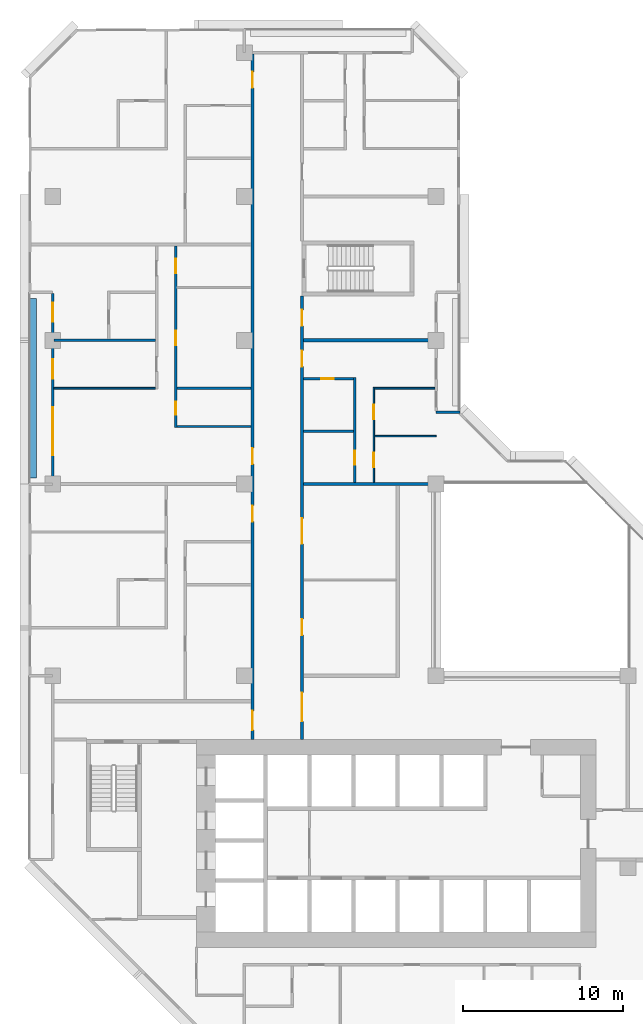
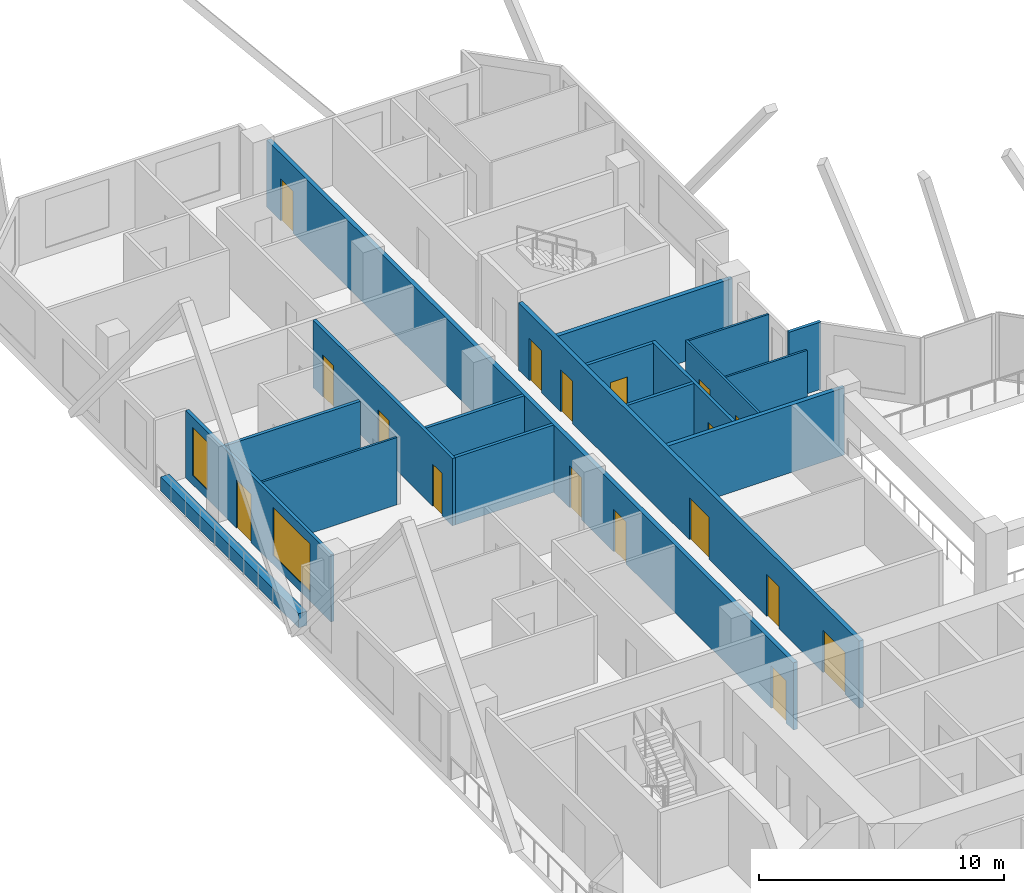
# One storey, part 9 of 15: 18 walls, 17 doors, 2 windows, 19 openings.
"""IFC4 building model written with IfcOpenShell, lengths in metres."""

from ifc_helpers import new_model, si_unit, direction, frame, frame_2d, origin, place, context, subcontext, project, spatial, rectangle, extrude, material, layer, layer_set, type_object, element, fill, save


model = new_model("IFC4")

# Units and contexts
model_context = context("Model", 3, precision=1e-05, world=origin(), true_north=direction((0.0, 1.0)))
body_context = subcontext(model_context, "Body", "Model", "MODEL_VIEW")
ifc_project = project(units=[si_unit("LENGTHUNIT", "METRE"), si_unit("AREAUNIT", "SQUARE_METRE"), si_unit("VOLUMEUNIT", "CUBIC_METRE"), si_unit("PLANEANGLEUNIT", "RADIAN"), si_unit("MASSUNIT", "GRAM", prefix="KILO")], contexts=[model_context])

# Site, building, storey
site_placement = place(None, origin())
site = spatial("IfcSite", under=ifc_project, at=site_placement, CompositionType="ELEMENT")
building_placement = place(site_placement, origin())
building = spatial("IfcBuilding", under=site, at=building_placement, Name="Chenar Terraces", CompositionType="ELEMENT")
storey_placement = place(building_placement, frame((0.0, 0.0, 129.39990234375)))
storey = spatial("IfcBuildingStorey", under=building, at=storey_placement, Name="L30", CompositionType="ELEMENT", Elevation=129.39990234375)

# Wall, openings, doors
ifc_material_1 = material(Name="Gypsum board on steel studs with fire boards", Category="steel")
ifc_layer_1 = layer(ifc_material_1, 0.199951171875)
ifc_layer_set_1 = layer_set([ifc_layer_1], Name="Gypsum board on steel studs with fire boards")
wall_type_1 = type_object("IfcWallType", Name="Corridor wall 200", PredefinedType="PARTITIONING", material=ifc_layer_set_1)
wall_1_placement = place(storey_placement, frame((12.5, 20.0, 0.0), z_axis=(0.0, 0.0, 1.0), x_axis=(0.0, 1.0, 0.0)))
wall_1 = element("IfcWall", 1, at=wall_1_placement, inside=storey, type_object=wall_type_1, Name="Partition L30-035", PredefinedType="PARTITIONING", context=body_context, shape_type="SweptSolid", body=[
    extrude(rectangle(XDim=42.926025390625, YDim=0.199951171875, at=frame_2d((21.462890625, 0.0))), origin(), (0.0, 0.0, 1.0), 3.35009765625),
])
opening_1_placement = place(wall_1_placement, frame((17.25, 0.0, 0.0)))
opening_1 = element("IfcOpeningElement", 2, at=opening_1_placement, cuts=wall_1, Name="Opening DL30-43", PredefinedType="OPENING", context=body_context, shape_type="SweptSolid", body=[
    extrude(rectangle(XDim=1.0, YDim=2.10009765625, at=frame_2d((0.5, 1.050048828125))), frame((0.0, 0.10986328125, 0.0), z_axis=(0.0, -1.0, 0.0), x_axis=(1.0, 0.0, 0.0)), (0.0, 0.0, 1.0), 0.219970703125),
])
opening_2_placement = place(wall_1_placement, frame((40.800048828125, 0.0, 0.0)))
opening_2 = element("IfcOpeningElement", 3, at=opening_2_placement, cuts=wall_1, Name="Opening DL30-49", PredefinedType="OPENING", context=body_context, shape_type="SweptSolid", body=[
    extrude(rectangle(XDim=1.0, YDim=2.10009765625, at=frame_2d((0.5, 1.050048828125))), frame((0.0, 0.10986328125, 0.0), z_axis=(0.0, -1.0, 0.0), x_axis=(1.0, 0.0, 0.0)), (0.0, 0.0, 1.0), 0.219970703125),
])
opening_3_placement = place(wall_1_placement, frame((0.60009765625, 0.0, 0.0)))
opening_3 = element("IfcOpeningElement", 4, at=opening_3_placement, cuts=wall_1, Name="Opening DL30-52", PredefinedType="OPENING", context=body_context, shape_type="SweptSolid", body=[
    extrude(rectangle(XDim=1.199951171875, YDim=2.10009765625, at=frame_2d((0.60009765625, 1.050048828125))), frame((0.0, 0.10986328125, 0.0), z_axis=(0.0, -1.0, 0.0), x_axis=(1.0, 0.0, 0.0)), (0.0, 0.0, 1.0), 0.219970703125),
])
opening_4_placement = place(wall_1_placement, frame((13.64990234375, 0.0, 0.0)))
opening_4 = element("IfcOpeningElement", 5, at=opening_4_placement, cuts=wall_1, Name="Opening DL30-73", PredefinedType="OPENING", context=body_context, shape_type="SweptSolid", body=[
    extrude(rectangle(XDim=1.0, YDim=2.10009765625, at=frame_2d((0.5, 1.050048828125))), frame((0.0, 0.10986328125, 0.0), z_axis=(0.0, -1.0, 0.0), x_axis=(1.0, 0.0, 0.0)), (0.0, 0.0, 1.0), 0.219970703125),
])
ifc_material_2 = material(Name="Steel-framed fire-resisting door leaf", Category="steel")
door_type_1 = type_object("IfcDoorType", Name="Fire door FD30S 1000 x 2100", OperationType="SINGLE_SWING_LEFT", PredefinedType="DOOR", material=ifc_material_2)
door_1_placement = place(opening_1_placement, origin())
door_1 = element("IfcDoor", 6, at=door_1_placement, inside=storey, type_object=door_type_1, Name="Door DL30-43", OperationType="SINGLE_SWING_LEFT", OverallHeight=2.10009765625, OverallWidth=1.0, PredefinedType="DOOR", context=body_context, shape_type="SweptSolid", body=[
    extrude(rectangle(XDim=1.0, YDim=2.10009765625, at=frame_2d((0.5, 1.050048828125))), frame((0.0, 0.02490234375, 0.0), z_axis=(0.0, -1.0, 0.0), x_axis=(1.0, 0.0, 0.0)), (0.0, 0.0, 1.0), 0.050048828125),
])
fill(opening_1, door_1)
door_2_placement = place(opening_2_placement, origin())
door_2 = element("IfcDoor", 7, at=door_2_placement, inside=storey, type_object=door_type_1, Name="Door DL30-49", OperationType="SINGLE_SWING_RIGHT", OverallHeight=2.10009765625, OverallWidth=1.0, PredefinedType="DOOR", context=body_context, shape_type="SweptSolid", body=[
    extrude(rectangle(XDim=1.0, YDim=2.10009765625, at=frame_2d((0.5, 1.050048828125))), frame((0.0, 0.02490234375, 0.0), z_axis=(0.0, -1.0, 0.0), x_axis=(1.0, 0.0, 0.0)), (0.0, 0.0, 1.0), 0.050048828125),
])
fill(opening_2, door_2)
door_3_placement = place(opening_4_placement, origin())
door_3 = element("IfcDoor", 8, at=door_3_placement, inside=storey, type_object=door_type_1, Name="Door DL30-73", OperationType="SINGLE_SWING_RIGHT", OverallHeight=2.10009765625, OverallWidth=1.0, PredefinedType="DOOR", context=body_context, shape_type="SweptSolid", body=[
    extrude(rectangle(XDim=1.0, YDim=2.10009765625, at=frame_2d((0.5, 1.050048828125))), frame((0.0, 0.02490234375, 0.0), z_axis=(0.0, -1.0, 0.0), x_axis=(1.0, 0.0, 0.0)), (0.0, 0.0, 1.0), 0.050048828125),
])
fill(opening_4, door_3)
ifc_material_3 = material(Name="Steel-framed fire-resisting door leaf", Category="steel")
door_type_2 = type_object("IfcDoorType", Name="Fire door FD30S 1200 x 2100", OperationType="SINGLE_SWING_LEFT", PredefinedType="DOOR", material=ifc_material_3)
door_4_placement = place(opening_3_placement, origin())
door_4 = element("IfcDoor", 9, at=door_4_placement, inside=storey, type_object=door_type_2, Name="Door DL30-52", OperationType="SINGLE_SWING_RIGHT", OverallHeight=2.10009765625, OverallWidth=1.199951171875, PredefinedType="DOOR", context=body_context, shape_type="SweptSolid", body=[
    extrude(rectangle(XDim=1.199951171875, YDim=2.10009765625, at=frame_2d((0.60009765625, 1.050048828125))), frame((0.0, 0.02490234375, 0.0), z_axis=(0.0, -1.0, 0.0), x_axis=(1.0, 0.0, 0.0)), (0.0, 0.0, 1.0), 0.050048828125),
])
fill(opening_3, door_4)

wall_2_placement = place(storey_placement, frame((15.60009765625, 20.0, 0.0), z_axis=(0.0, 0.0, 1.0), x_axis=(0.0, 1.0, 0.0)))
wall_2 = element("IfcWall", 10, at=wall_2_placement, inside=storey, type_object=wall_type_1, Name="Partition L30-037", PredefinedType="PARTITIONING", context=body_context, shape_type="SweptSolid", body=[
    extrude(rectangle(XDim=27.77490234375, YDim=0.199951171875, at=frame_2d((13.887451171875, 0.0))), origin(), (0.0, 0.0, 1.0), 3.35009765625),
])
opening_5_placement = place(wall_2_placement, frame((6.550048828125, 0.0, 0.0)))
opening_5 = element("IfcOpeningElement", 11, at=opening_5_placement, cuts=wall_2, Name="Opening DL30-1", PredefinedType="OPENING", context=body_context, shape_type="SweptSolid", body=[
    extrude(rectangle(XDim=1.0, YDim=2.10009765625, at=frame_2d((0.5, 1.050048828125))), frame((0.0, 0.10986328125, 0.0), z_axis=(0.0, -1.0, 0.0), x_axis=(1.0, 0.0, 0.0)), (0.0, 0.0, 1.0), 0.219970703125),
])
opening_6_placement = place(wall_2_placement, frame((12.25, 0.0, 0.0)))
opening_6 = element("IfcOpeningElement", 12, at=opening_6_placement, cuts=wall_2, Name="Opening DL30-2", PredefinedType="OPENING", context=body_context, shape_type="SweptSolid", body=[
    extrude(rectangle(XDim=1.60009765625, YDim=2.10009765625, at=frame_2d((0.800048828125, 1.050048828125))), frame((0.0, 0.10986328125, 0.0), z_axis=(0.0, -1.0, 0.0), x_axis=(1.0, 0.0, 0.0)), (0.0, 0.0, 1.0), 0.219970703125),
])
opening_7_placement = place(wall_2_placement, frame((23.35009765625, 0.0, 0.0)))
opening_7 = element("IfcOpeningElement", 13, at=opening_7_placement, cuts=wall_2, Name="Opening DL30-32", PredefinedType="OPENING", context=body_context, shape_type="SweptSolid", body=[
    extrude(rectangle(XDim=1.0, YDim=2.10009765625, at=frame_2d((0.5, 1.050048828125))), frame((0.0, 0.10986328125, 0.0), z_axis=(0.0, -1.0, 0.0), x_axis=(1.0, 0.0, 0.0)), (0.0, 0.0, 1.0), 0.219970703125),
])
opening_8_placement = place(wall_2_placement, frame((1.14990234375, 0.0, 0.0)))
opening_8 = element("IfcOpeningElement", 14, at=opening_8_placement, cuts=wall_2, Name="Opening DL30-51", PredefinedType="OPENING", context=body_context, shape_type="SweptSolid", body=[
    extrude(rectangle(XDim=1.800048828125, YDim=2.10009765625, at=frame_2d((0.89990234375, 1.050048828125))), frame((0.0, 0.10986328125, 0.0), z_axis=(0.0, -1.0, 0.0), x_axis=(1.0, 0.0, 0.0)), (0.0, 0.0, 1.0), 0.219970703125),
])
opening_9_placement = place(wall_2_placement, frame((25.89990234375, 0.0, 0.0)))
opening_9 = element("IfcOpeningElement", 15, at=opening_9_placement, cuts=wall_2, Name="Opening DL30-54", PredefinedType="OPENING", context=body_context, shape_type="SweptSolid", body=[
    extrude(rectangle(XDim=1.0, YDim=2.10009765625, at=frame_2d((0.5, 1.050048828125))), frame((0.0, 0.10986328125, 0.0), z_axis=(0.0, -1.0, 0.0), x_axis=(1.0, 0.0, 0.0)), (0.0, 0.0, 1.0), 0.219970703125),
])
ifc_material_4 = material(Name="Steel-framed fire-resisting door leaf", Category="steel")
door_type_3 = type_object("IfcDoorType", Name="Fire door FD60 1000 x 2100", OperationType="SINGLE_SWING_LEFT", PredefinedType="DOOR", material=ifc_material_4)
door_5_placement = place(opening_5_placement, frame((1.0, 0.0, 0.0), z_axis=(0.0, 0.0, 1.0), x_axis=(-1.0, 0.0, 0.0)))
door_5 = element("IfcDoor", 16, at=door_5_placement, inside=storey, type_object=door_type_3, Name="Door DL30-1", OperationType="SINGLE_SWING_LEFT", OverallHeight=2.10009765625, OverallWidth=1.0, PredefinedType="DOOR", context=body_context, shape_type="SweptSolid", body=[
    extrude(rectangle(XDim=1.0, YDim=2.10009765625, at=frame_2d((0.5, 1.050048828125))), frame((0.0, 0.02490234375, 0.0), z_axis=(0.0, -1.0, 0.0), x_axis=(1.0, 0.0, 0.0)), (0.0, 0.0, 1.0), 0.050048828125),
])
fill(opening_5, door_5)
door_6_placement = place(opening_7_placement, frame((1.0, 0.0, 0.0), z_axis=(0.0, 0.0, 1.0), x_axis=(-1.0, 0.0, 0.0)))
door_6 = element("IfcDoor", 17, at=door_6_placement, inside=storey, type_object=door_type_3, Name="Door DL30-32", OperationType="SINGLE_SWING_LEFT", OverallHeight=2.10009765625, OverallWidth=1.0, PredefinedType="DOOR", context=body_context, shape_type="SweptSolid", body=[
    extrude(rectangle(XDim=1.0, YDim=2.10009765625, at=frame_2d((0.5, 1.050048828125))), frame((0.0, 0.02490234375, 0.0), z_axis=(0.0, -1.0, 0.0), x_axis=(1.0, 0.0, 0.0)), (0.0, 0.0, 1.0), 0.050048828125),
])
fill(opening_7, door_6)
door_7_placement = place(opening_9_placement, frame((1.0, 0.0, 0.0), z_axis=(0.0, 0.0, 1.0), x_axis=(-1.0, 0.0, 0.0)))
door_7 = element("IfcDoor", 18, at=door_7_placement, inside=storey, type_object=door_type_3, Name="Door DL30-54", OperationType="SINGLE_SWING_RIGHT", OverallHeight=2.10009765625, OverallWidth=1.0, PredefinedType="DOOR", context=body_context, shape_type="SweptSolid", body=[
    extrude(rectangle(XDim=1.0, YDim=2.10009765625, at=frame_2d((0.5, 1.050048828125))), frame((0.0, 0.02490234375, 0.0), z_axis=(0.0, -1.0, 0.0), x_axis=(1.0, 0.0, 0.0)), (0.0, 0.0, 1.0), 0.050048828125),
])
fill(opening_9, door_7)
ifc_material_5 = material(Name="Steel-framed fire-resisting door leaf", Category="steel")
door_type_4 = type_object("IfcDoorType", Name="Fire double door FD60 1600 x 2100", OperationType="DOUBLE_DOOR_SINGLE_SWING", PredefinedType="DOOR", material=ifc_material_5)
door_8_placement = place(opening_6_placement, frame((1.60009765625, 0.0, 0.0), z_axis=(0.0, 0.0, 1.0), x_axis=(-1.0, 0.0, 0.0)))
door_8 = element("IfcDoor", 19, at=door_8_placement, inside=storey, type_object=door_type_4, Name="Door DL30-2", OperationType="DOUBLE_DOOR_SINGLE_SWING", OverallHeight=2.10009765625, OverallWidth=1.60009765625, PredefinedType="DOOR", context=body_context, shape_type="SweptSolid", body=[
    extrude(rectangle(XDim=1.60009765625, YDim=2.10009765625, at=frame_2d((0.800048828125, 1.050048828125))), frame((0.0, 0.02490234375, 0.0), z_axis=(0.0, -1.0, 0.0), x_axis=(1.0, 0.0, 0.0)), (0.0, 0.0, 1.0), 0.050048828125),
])
fill(opening_6, door_8)
ifc_material_6 = material(Name="Steel-framed fire-resisting door leaf", Category="steel")
door_type_5 = type_object("IfcDoorType", Name="Fire double door FD60 1800 x 2100", OperationType="DOUBLE_DOOR_SINGLE_SWING", PredefinedType="DOOR", material=ifc_material_6)
door_9_placement = place(opening_8_placement, frame((1.800048828125, 0.0, 0.0), z_axis=(0.0, 0.0, 1.0), x_axis=(-1.0, 0.0, 0.0)))
door_9 = element("IfcDoor", 20, at=door_9_placement, inside=storey, type_object=door_type_5, Name="Door DL30-51", OperationType="DOUBLE_DOOR_SINGLE_SWING", OverallHeight=2.10009765625, OverallWidth=1.800048828125, PredefinedType="DOOR", context=body_context, shape_type="SweptSolid", body=[
    extrude(rectangle(XDim=1.800048828125, YDim=2.10009765625, at=frame_2d((0.89990234375, 1.050048828125))), frame((0.0, 0.02490234375, 0.0), z_axis=(0.0, -1.0, 0.0), x_axis=(1.0, 0.0, 0.0)), (0.0, 0.0, 1.0), 0.050048828125),
])
fill(opening_8, door_9)

# Wall, openings, windows, door
ifc_material_7 = material(Name="Aluminium framed glazing", Category="aluminium")
ifc_layer_2 = layer(ifc_material_7, 0.14990234375)
ifc_layer_set_2 = layer_set([ifc_layer_2], Name="Aluminium framed glazing")
wall_type_2 = type_object("IfcWallType", Name="Glazed loggia back wall 150", PredefinedType="SOLIDWALL", material=ifc_layer_set_2)
wall_3_placement = place(storey_placement, frame((0.0, 47.925048828125, 0.0), z_axis=(0.0, 0.0, 1.0), x_axis=(0.0, -1.0, 0.0)))
wall_3 = element("IfcWall", 21, at=wall_3_placement, inside=storey, type_object=wall_type_2, Name="Glazed loggia back wall", PredefinedType="SOLIDWALL", context=body_context, shape_type="SweptSolid", body=[
    extrude(rectangle(XDim=11.85009765625, YDim=0.14990234375, at=frame_2d((5.925048828125, 0.0))), origin(), (0.0, 0.0, 1.0), 3.35009765625),
])
opening_10_placement = place(wall_3_placement, frame((0.5625, 0.0, 0.449951171875)))
opening_10 = element("IfcOpeningElement", 22, at=opening_10_placement, cuts=wall_3, Name="Opening W120x240", PredefinedType="OPENING", context=body_context, shape_type="SweptSolid", body=[
    extrude(rectangle(XDim=1.199951171875, YDim=2.39990234375, at=frame_2d((0.60009765625, 1.199951171875))), frame((0.0, 0.0849609375, 0.0), z_axis=(0.0, -1.0, 0.0), x_axis=(1.0, 0.0, 0.0)), (0.0, 0.0, 1.0), 0.169921875),
])
opening_11_placement = place(wall_3_placement, frame((4.125, 0.0, 0.0)))
opening_11 = element("IfcOpeningElement", 23, at=opening_11_placement, cuts=wall_3, Name="Opening DL30-G3", PredefinedType="OPENING", context=body_context, shape_type="SweptSolid", body=[
    extrude(rectangle(XDim=1.199951171875, YDim=2.39990234375, at=frame_2d((0.60009765625, 1.199951171875))), frame((0.0, 0.0849609375, 0.0), z_axis=(0.0, -1.0, 0.0), x_axis=(1.0, 0.0, 0.0)), (0.0, 0.0, 1.0), 0.169921875),
])
opening_12_placement = place(wall_3_placement, frame((7.125, 0.0, 0.449951171875)))
opening_12 = element("IfcOpeningElement", 24, at=opening_12_placement, cuts=wall_3, Name="Opening W300x240", PredefinedType="OPENING", context=body_context, shape_type="SweptSolid", body=[
    extrude(rectangle(XDim=3.0, YDim=2.39990234375, at=frame_2d((1.5, 1.199951171875))), frame((0.0, 0.0849609375, 0.0), z_axis=(0.0, -1.0, 0.0), x_axis=(1.0, 0.0, 0.0)), (0.0, 0.0, 1.0), 0.169921875),
])
ifc_material_8 = material(Name="Low emissivity double glazing, aluminium frame", Category="aluminium")
window_type_1 = type_object("IfcWindowType", Name="Fixed light 1200 x 2400", PartitioningType="SINGLE_PANEL", PredefinedType="WINDOW", material=ifc_material_8)
window_1_placement = place(opening_10_placement, origin())
window_1 = element("IfcWindow", 25, at=window_1_placement, inside=storey, type_object=window_type_1, Name="Window", OverallHeight=2.39990234375, OverallWidth=1.199951171875, PartitioningType="SINGLE_PANEL", PredefinedType="WINDOW", context=body_context, shape_type="SweptSolid", body=[
    extrude(rectangle(XDim=1.199951171875, YDim=2.39990234375, at=frame_2d((0.60009765625, 1.199951171875))), frame((0.0, 0.030029296875, 0.0), z_axis=(0.0, -1.0, 0.0), x_axis=(1.0, 0.0, 0.0)), (0.0, 0.0, 1.0), 0.06005859375),
])
fill(opening_10, window_1)
ifc_material_9 = material(Name="Low emissivity double glazing, aluminium frame", Category="aluminium")
window_type_2 = type_object("IfcWindowType", Name="Fixed light 3000 x 2400", PartitioningType="SINGLE_PANEL", PredefinedType="WINDOW", material=ifc_material_9)
window_2_placement = place(opening_12_placement, origin())
window_2 = element("IfcWindow", 26, at=window_2_placement, inside=storey, type_object=window_type_2, Name="Window", OverallHeight=2.39990234375, OverallWidth=3.0, PartitioningType="SINGLE_PANEL", PredefinedType="WINDOW", context=body_context, shape_type="SweptSolid", body=[
    extrude(rectangle(XDim=3.0, YDim=2.39990234375, at=frame_2d((1.5, 1.199951171875))), frame((0.0, 0.030029296875, 0.0), z_axis=(0.0, -1.0, 0.0), x_axis=(1.0, 0.0, 0.0)), (0.0, 0.0, 1.0), 0.06005859375),
])
fill(opening_12, window_2)
ifc_material_10 = material(Name="Low emissivity double glazing, aluminium frame", Category="aluminium")
door_type_6 = type_object("IfcDoorType", Name="Loggia glazed double door 1200 x 2400", OperationType="DOUBLE_DOOR_SINGLE_SWING", PredefinedType="DOOR", material=ifc_material_10)
door_10_placement = place(opening_11_placement, frame((1.199951171875, 0.0, 0.0), z_axis=(0.0, 0.0, 1.0), x_axis=(-1.0, 0.0, 0.0)))
door_10 = element("IfcDoor", 27, at=door_10_placement, inside=storey, type_object=door_type_6, Name="Loggia glazed door", OperationType="DOUBLE_DOOR_SINGLE_SWING", OverallHeight=2.39990234375, OverallWidth=1.199951171875, PredefinedType="DOOR", context=body_context, shape_type="SweptSolid", body=[
    extrude(rectangle(XDim=1.199951171875, YDim=2.39990234375, at=frame_2d((0.60009765625, 1.199951171875))), frame((0.0, 0.02490234375, 0.0), z_axis=(0.0, -1.0, 0.0), x_axis=(1.0, 0.0, 0.0)), (0.0, 0.0, 1.0), 0.050048828125),
])
fill(opening_11, door_10)

# Wall
ifc_material_11 = material(Name="Gypsum board on steel studs", Category="steel")
ifc_layer_3 = layer(ifc_material_11, 0.10009765625)
ifc_layer_set_3 = layer_set([ifc_layer_3], Name="Gypsum board on steel studs")
wall_type_3 = type_object("IfcWallType", Name="Gypsum partition 100", PredefinedType="PARTITIONING", material=ifc_layer_set_3)
wall_4_placement = place(storey_placement, frame((0.073974609375, 42.0, 0.0), z_axis=(0.0, 0.0, 1.0), x_axis=(1.0, 0.0, 0.0)))
element("IfcWall", 28, at=wall_4_placement, inside=storey, type_object=wall_type_3, Name="Partition L30-008", PredefinedType="PARTITIONING", context=body_context, shape_type="SweptSolid", body=[
    extrude(rectangle(XDim=6.35107421875, YDim=0.10009765625, at=frame_2d((3.175537109375, 0.0))), origin(), (0.0, 0.0, 1.0), 3.35009765625),
])

# Wall, openings, doors
wall_5_placement = place(storey_placement, frame((20.10009765625, 36.10009765625, 0.0), z_axis=(0.0, 0.0, 1.0), x_axis=(0.0, 1.0, 0.0)))
wall_5 = element("IfcWall", 29, at=wall_5_placement, inside=storey, type_object=wall_type_3, Name="Partition L30-054", PredefinedType="PARTITIONING", context=body_context, shape_type="SweptSolid", body=[
    extrude(rectangle(XDim=5.949951171875, YDim=0.10009765625, at=frame_2d((2.97509765625, 0.0))), origin(), (0.0, 0.0, 1.0), 3.35009765625),
])
opening_13_placement = place(wall_5_placement, frame((0.949951171875, 0.0, 0.0)))
opening_13 = element("IfcOpeningElement", 30, at=opening_13_placement, cuts=wall_5, Name="Opening DL30-29", PredefinedType="OPENING", context=body_context, shape_type="SweptSolid", body=[
    extrude(rectangle(XDim=0.89990234375, YDim=2.10009765625, at=frame_2d((0.449951171875, 1.050048828125))), frame((0.0, 0.06005859375, 0.0), z_axis=(0.0, -1.0, 0.0), x_axis=(1.0, 0.0, 0.0)), (0.0, 0.0, 1.0), 0.1201171875),
])
opening_14_placement = place(wall_5_placement, frame((3.949951171875, 0.0, 0.0)))
opening_14 = element("IfcOpeningElement", 31, at=opening_14_placement, cuts=wall_5, Name="Opening DL30-30", PredefinedType="OPENING", context=body_context, shape_type="SweptSolid", body=[
    extrude(rectangle(XDim=0.89990234375, YDim=2.10009765625, at=frame_2d((0.449951171875, 1.050048828125))), frame((0.0, 0.06005859375, 0.0), z_axis=(0.0, -1.0, 0.0), x_axis=(1.0, 0.0, 0.0)), (0.0, 0.0, 1.0), 0.1201171875),
])
ifc_material_12 = material(Name="Veneered timber door leaf", Category="wood")
door_type_7 = type_object("IfcDoorType", Name="Door 900 x 2100", OperationType="SINGLE_SWING_LEFT", PredefinedType="DOOR", material=ifc_material_12)
door_11_placement = place(opening_13_placement, frame((0.89990234375, 0.0, 0.0), z_axis=(0.0, 0.0, 1.0), x_axis=(-1.0, 0.0, 0.0)))
door_11 = element("IfcDoor", 32, at=door_11_placement, inside=storey, type_object=door_type_7, Name="Door DL30-29", OperationType="SINGLE_SWING_LEFT", OverallHeight=2.10009765625, OverallWidth=0.89990234375, PredefinedType="DOOR", context=body_context, shape_type="SweptSolid", body=[
    extrude(rectangle(XDim=0.89990234375, YDim=2.10009765625, at=frame_2d((0.449951171875, 1.050048828125))), frame((0.0, 0.02490234375, 0.0), z_axis=(0.0, -1.0, 0.0), x_axis=(1.0, 0.0, 0.0)), (0.0, 0.0, 1.0), 0.050048828125),
])
fill(opening_13, door_11)
door_12_placement = place(opening_14_placement, frame((0.89990234375, 0.0, 0.0), z_axis=(0.0, 0.0, 1.0), x_axis=(-1.0, 0.0, 0.0)))
door_12 = element("IfcDoor", 33, at=door_12_placement, inside=storey, type_object=door_type_7, Name="Door DL30-30", OperationType="SINGLE_SWING_LEFT", OverallHeight=2.10009765625, OverallWidth=0.89990234375, PredefinedType="DOOR", context=body_context, shape_type="SweptSolid", body=[
    extrude(rectangle(XDim=0.89990234375, YDim=2.10009765625, at=frame_2d((0.449951171875, 1.050048828125))), frame((0.0, 0.02490234375, 0.0), z_axis=(0.0, -1.0, 0.0), x_axis=(1.0, 0.0, 0.0)), (0.0, 0.0, 1.0), 0.050048828125),
])
fill(opening_14, door_12)

# Walls
wall_6_placement = place(storey_placement, frame((20.14990234375, 39.0, 0.0), z_axis=(0.0, 0.0, 1.0), x_axis=(1.0, 0.0, 0.0)))
element("IfcWall", 34, at=wall_6_placement, inside=storey, type_object=wall_type_3, Name="Partition L30-055", PredefinedType="PARTITIONING", context=body_context, shape_type="SweptSolid", body=[
    extrude(rectangle(XDim=3.85009765625, YDim=0.10009765625, at=frame_2d((1.925048828125, 0.0))), origin(), (0.0, 0.0, 1.0), 3.35009765625),
])
wall_7_placement = place(storey_placement, frame((20.14990234375, 42.0, 0.0), z_axis=(0.0, 0.0, 1.0), x_axis=(1.0, 0.0, 0.0)))
element("IfcWall", 35, at=wall_7_placement, inside=storey, type_object=wall_type_3, Name="Partition L30-056", PredefinedType="PARTITIONING", context=body_context, shape_type="SweptSolid", body=[
    extrude(rectangle(XDim=3.776123046875, YDim=0.10009765625, at=frame_2d((1.88818359375, 0.0))), origin(), (0.0, 0.0, 1.0), 3.35009765625),
])
ifc_material_13 = material(Name="Terracotta cladding on insulated backing", Category="masonry")
ifc_layer_4 = layer(ifc_material_13, 0.14990234375)
ifc_layer_set_4 = layer_set([ifc_layer_4], Name="Terracotta cladding on insulated backing")
wall_type_4 = type_object("IfcWallType", Name="Loggia return wall 150", PredefinedType="SOLIDWALL", material=ifc_layer_set_4)
wall_8_placement = place(storey_placement, frame((25.5, 40.5, 0.0), z_axis=(0.0, 0.0, 1.0), x_axis=(-1.0, 0.0, 0.0)))
element("IfcWall", 36, at=wall_8_placement, inside=storey, type_object=wall_type_4, Name="Loggia return wall", PredefinedType="SOLIDWALL", context=body_context, shape_type="SweptSolid", body=[
    extrude(rectangle(XDim=1.5, YDim=0.14990234375, at=frame_2d((0.75, 0.0))), origin(), (0.0, 0.0, 1.0), 3.35009765625),
])
ifc_material_14 = material(Name="Twin gypsum board on steel studs with mineral wool", Category="steel")
ifc_layer_5 = layer(ifc_material_14, 0.199951171875)
ifc_layer_set_5 = layer_set([ifc_layer_5], Name="Twin gypsum board on steel studs with mineral wool")
wall_type_5 = type_object("IfcWallType", Name="Unit demising wall 200", PredefinedType="PARTITIONING", material=ifc_layer_set_5)
wall_9_placement = place(storey_placement, frame((15.699951171875, 36.0, 0.0), z_axis=(0.0, 0.0, 1.0), x_axis=(1.0, 0.0, 0.0)))
element("IfcWall", 37, at=wall_9_placement, inside=storey, type_object=wall_type_5, Name="Partition L30-041", PredefinedType="PARTITIONING", context=body_context, shape_type="SweptSolid", body=[
    extrude(rectangle(XDim=8.300048828125, YDim=0.199951171875, at=frame_2d((4.14990234375, 0.0))), origin(), (0.0, 0.0, 1.0), 3.35009765625),
])
wall_10_placement = place(storey_placement, frame((15.699951171875, 45.0, 0.0), z_axis=(0.0, 0.0, 1.0), x_axis=(1.0, 0.0, 0.0)))
element("IfcWall", 38, at=wall_10_placement, inside=storey, type_object=wall_type_5, Name="Partition L30-044", PredefinedType="PARTITIONING", context=body_context, shape_type="SweptSolid", body=[
    extrude(rectangle(XDim=8.22607421875, YDim=0.199951171875, at=frame_2d((4.113037109375, 0.0))), origin(), (0.0, 0.0, 1.0), 3.35009765625),
])
ifc_material_15 = material(Name="GRP planter trough")
ifc_layer_6 = layer(ifc_material_15, 0.39990234375)
ifc_layer_set_6 = layer_set([ifc_layer_6], Name="GRP planter trough")
wall_type_6 = type_object("IfcWallType", Name="Vertical greenery planter 400", PredefinedType="SOLIDWALL", material=ifc_layer_set_6)
wall_11_placement = place(storey_placement, frame((-1.22900390625, 47.625, 0.0), z_axis=(0.0, 0.0, 1.0), x_axis=(0.0, -1.0, 0.0)))
element("IfcWall", 39, at=wall_11_placement, inside=storey, type_object=wall_type_6, Name="Vertical greenery planter", PredefinedType="SOLIDWALL", context=body_context, shape_type="SweptSolid", body=[
    extrude(rectangle(XDim=11.25, YDim=0.39990234375, at=frame_2d((5.625, 0.0))), origin(), (0.0, 0.0, 1.0), 0.7001953125),
])
ifc_material_16 = material(Name="Moisture-resistant gypsum board on steel studs", Category="steel")
ifc_layer_7 = layer(ifc_material_16, 0.14990234375)
ifc_layer_set_7 = layer_set([ifc_layer_7], Name="Moisture-resistant gypsum board on steel studs")
wall_type_7 = type_object("IfcWallType", Name="Wet-room partition 150", PredefinedType="PARTITIONING", material=ifc_layer_set_7)
wall_12_placement = place(storey_placement, frame((0.073974609375, 45.0, 0.0), z_axis=(0.0, 0.0, 1.0), x_axis=(1.0, 0.0, 0.0)))
element("IfcWall", 40, at=wall_12_placement, inside=storey, type_object=wall_type_7, Name="Partition L30-009", PredefinedType="PARTITIONING", context=body_context, shape_type="SweptSolid", body=[
    extrude(rectangle(XDim=6.35107421875, YDim=0.14990234375, at=frame_2d((3.175537109375, 0.0))), origin(), (0.0, 0.0, 1.0), 3.35009765625),
])

# Wall, openings, doors
wall_13_placement = place(storey_placement, frame((7.699951171875, 39.52490234375, 0.0), z_axis=(0.0, 0.0, 1.0), x_axis=(0.0, 1.0, 0.0)))
wall_13 = element("IfcWall", 41, at=wall_13_placement, inside=storey, type_object=wall_type_7, Name="Partition L30-020", PredefinedType="PARTITIONING", context=body_context, shape_type="SweptSolid", body=[
    extrude(rectangle(XDim=11.375, YDim=0.14990234375, at=frame_2d((5.6875, 0.0))), origin(), (0.0, 0.0, 1.0), 3.35009765625),
])
opening_15_placement = place(wall_13_placement, frame((0.824951171875, 0.0, 0.0)))
opening_15 = element("IfcOpeningElement", 42, at=opening_15_placement, cuts=wall_13, Name="Opening DL30-38", PredefinedType="OPENING", context=body_context, shape_type="SweptSolid", body=[
    extrude(rectangle(XDim=0.800048828125, YDim=2.10009765625, at=frame_2d((0.39990234375, 1.050048828125))), frame((0.0, 0.0849609375, 0.0), z_axis=(0.0, -1.0, 0.0), x_axis=(1.0, 0.0, 0.0)), (0.0, 0.0, 1.0), 0.169921875),
])
opening_16_placement = place(wall_13_placement, frame((5.175048828125, 0.0, 0.0)))
opening_16 = element("IfcOpeningElement", 43, at=opening_16_placement, cuts=wall_13, Name="Opening DL30-42", PredefinedType="OPENING", context=body_context, shape_type="SweptSolid", body=[
    extrude(rectangle(XDim=0.89990234375, YDim=2.10009765625, at=frame_2d((0.449951171875, 1.050048828125))), frame((0.0, 0.0849609375, 0.0), z_axis=(0.0, -1.0, 0.0), x_axis=(1.0, 0.0, 0.0)), (0.0, 0.0, 1.0), 0.169921875),
])
opening_17_placement = place(wall_13_placement, frame((9.675048828125, 0.0, 0.0)))
opening_17 = element("IfcOpeningElement", 44, at=opening_17_placement, cuts=wall_13, Name="Opening DL30-44", PredefinedType="OPENING", context=body_context, shape_type="SweptSolid", body=[
    extrude(rectangle(XDim=0.89990234375, YDim=2.10009765625, at=frame_2d((0.449951171875, 1.050048828125))), frame((0.0, 0.0849609375, 0.0), z_axis=(0.0, -1.0, 0.0), x_axis=(1.0, 0.0, 0.0)), (0.0, 0.0, 1.0), 0.169921875),
])
ifc_material_17 = material(Name="Veneered timber door leaf", Category="wood")
door_type_8 = type_object("IfcDoorType", Name="Door 800 x 2100", OperationType="SINGLE_SWING_LEFT", PredefinedType="DOOR", material=ifc_material_17)
door_13_placement = place(opening_15_placement, frame((0.800048828125, 0.0, 0.0), z_axis=(0.0, 0.0, 1.0), x_axis=(-1.0, 0.0, 0.0)))
door_13 = element("IfcDoor", 45, at=door_13_placement, inside=storey, type_object=door_type_8, Name="Door DL30-38", OperationType="SINGLE_SWING_RIGHT", OverallHeight=2.10009765625, OverallWidth=0.800048828125, PredefinedType="DOOR", context=body_context, shape_type="SweptSolid", body=[
    extrude(rectangle(XDim=0.800048828125, YDim=2.10009765625, at=frame_2d((0.39990234375, 1.050048828125))), frame((0.0, 0.02490234375, 0.0), z_axis=(0.0, -1.0, 0.0), x_axis=(1.0, 0.0, 0.0)), (0.0, 0.0, 1.0), 0.050048828125),
])
fill(opening_15, door_13)
door_14_placement = place(opening_16_placement, frame((0.89990234375, 0.0, 0.0), z_axis=(0.0, 0.0, 1.0), x_axis=(-1.0, 0.0, 0.0)))
door_14 = element("IfcDoor", 46, at=door_14_placement, inside=storey, type_object=door_type_7, Name="Door DL30-42", OperationType="SINGLE_SWING_LEFT", OverallHeight=2.10009765625, OverallWidth=0.89990234375, PredefinedType="DOOR", context=body_context, shape_type="SweptSolid", body=[
    extrude(rectangle(XDim=0.89990234375, YDim=2.10009765625, at=frame_2d((0.449951171875, 1.050048828125))), frame((0.0, 0.02490234375, 0.0), z_axis=(0.0, -1.0, 0.0), x_axis=(1.0, 0.0, 0.0)), (0.0, 0.0, 1.0), 0.050048828125),
])
fill(opening_16, door_14)
door_15_placement = place(opening_17_placement, frame((0.89990234375, 0.0, 0.0), z_axis=(0.0, 0.0, 1.0), x_axis=(-1.0, 0.0, 0.0)))
door_15 = element("IfcDoor", 47, at=door_15_placement, inside=storey, type_object=door_type_7, Name="Door DL30-44", OperationType="SINGLE_SWING_LEFT", OverallHeight=2.10009765625, OverallWidth=0.89990234375, PredefinedType="DOOR", context=body_context, shape_type="SweptSolid", body=[
    extrude(rectangle(XDim=0.89990234375, YDim=2.10009765625, at=frame_2d((0.449951171875, 1.050048828125))), frame((0.0, 0.02490234375, 0.0), z_axis=(0.0, -1.0, 0.0), x_axis=(1.0, 0.0, 0.0)), (0.0, 0.0, 1.0), 0.050048828125),
])
fill(opening_17, door_15)

# Walls
for number, where, z_axis, x_axis, name in (
    (48, (7.77490234375, 39.60009765625, 0.0), (0.0, 0.0, 1.0), (1.0, 0.0, 0.0), "Partition L30-021"),
    (49, (7.77490234375, 42.0, 0.0), (0.0, 0.0, 1.0), (1.0, 0.0, 0.0), "Partition L30-022"),
):
    element("IfcWall", number, at=place(storey_placement, frame(where, z_axis=z_axis, x_axis=x_axis)), inside=storey, type_object=wall_type_7, Name=name, PredefinedType="PARTITIONING", context=body_context, shape_type="SweptSolid", body=[
        extrude(rectangle(XDim=4.625, YDim=0.14990234375, at=frame_2d((2.3125, 0.0))), origin(), (0.0, 0.0, 1.0), 3.35009765625),
    ])
wall_14_placement = place(storey_placement, frame((15.699951171875, 39.300048828125, 0.0), z_axis=(0.0, 0.0, 1.0), x_axis=(1.0, 0.0, 0.0)))
element("IfcWall", 50, at=wall_14_placement, inside=storey, type_object=wall_type_7, Name="Partition L30-042", PredefinedType="PARTITIONING", context=body_context, shape_type="SweptSolid", body=[
    extrude(rectangle(XDim=3.125, YDim=0.14990234375, at=frame_2d((1.5625, 0.0))), origin(), (0.0, 0.0, 1.0), 3.35009765625),
])

# Wall, opening, door
wall_15_placement = place(storey_placement, frame((15.699951171875, 42.60009765625, 0.0), z_axis=(0.0, 0.0, 1.0), x_axis=(1.0, 0.0, 0.0)))
wall_15 = element("IfcWall", 51, at=wall_15_placement, inside=storey, type_object=wall_type_7, Name="Partition L30-043", PredefinedType="PARTITIONING", context=body_context, shape_type="SweptSolid", body=[
    extrude(rectangle(XDim=3.125, YDim=0.14990234375, at=frame_2d((1.5625, 0.0))), origin(), (0.0, 0.0, 1.0), 3.35009765625),
])
opening_18_placement = place(wall_15_placement, frame((1.10009765625, 0.0, 0.0)))
opening_18 = element("IfcOpeningElement", 52, at=opening_18_placement, cuts=wall_15, Name="Opening DL30-28", PredefinedType="OPENING", context=body_context, shape_type="SweptSolid", body=[
    extrude(rectangle(XDim=0.800048828125, YDim=2.10009765625, at=frame_2d((0.39990234375, 1.050048828125))), frame((0.0, 0.0849609375, 0.0), z_axis=(0.0, -1.0, 0.0), x_axis=(1.0, 0.0, 0.0)), (0.0, 0.0, 1.0), 0.169921875),
])
door_16_placement = place(opening_18_placement, frame((0.800048828125, 0.0, 0.0), z_axis=(0.0, 0.0, 1.0), x_axis=(-1.0, 0.0, 0.0)))
door_16 = element("IfcDoor", 53, at=door_16_placement, inside=storey, type_object=door_type_8, Name="Door DL30-28", OperationType="SINGLE_SWING_RIGHT", OverallHeight=2.10009765625, OverallWidth=0.800048828125, PredefinedType="DOOR", context=body_context, shape_type="SweptSolid", body=[
    extrude(rectangle(XDim=0.800048828125, YDim=2.10009765625, at=frame_2d((0.39990234375, 1.050048828125))), frame((0.0, 0.02490234375, 0.0), z_axis=(0.0, -1.0, 0.0), x_axis=(1.0, 0.0, 0.0)), (0.0, 0.0, 1.0), 0.050048828125),
])
fill(opening_18, door_16)

wall_16_placement = place(storey_placement, frame((18.89990234375, 36.10009765625, 0.0), z_axis=(0.0, 0.0, 1.0), x_axis=(0.0, 1.0, 0.0)))
wall_16 = element("IfcWall", 54, at=wall_16_placement, inside=storey, type_object=wall_type_7, Name="Partition L30-050", PredefinedType="PARTITIONING", context=body_context, shape_type="SweptSolid", body=[
    extrude(rectangle(XDim=6.574951171875, YDim=0.14990234375, at=frame_2d((3.28759765625, 0.0))), origin(), (0.0, 0.0, 1.0), 3.35009765625),
])
opening_19_placement = place(wall_16_placement, frame((1.10009765625, 0.0, 0.0)))
opening_19 = element("IfcOpeningElement", 55, at=opening_19_placement, cuts=wall_16, Name="Opening DL30-31", PredefinedType="OPENING", context=body_context, shape_type="SweptSolid", body=[
    extrude(rectangle(XDim=0.89990234375, YDim=2.10009765625, at=frame_2d((0.449951171875, 1.050048828125))), frame((0.0, 0.0849609375, 0.0), z_axis=(0.0, -1.0, 0.0), x_axis=(1.0, 0.0, 0.0)), (0.0, 0.0, 1.0), 0.169921875),
])
door_17_placement = place(opening_19_placement, origin())
door_17 = element("IfcDoor", 56, at=door_17_placement, inside=storey, type_object=door_type_7, Name="Door DL30-31", OperationType="SINGLE_SWING_LEFT", OverallHeight=2.10009765625, OverallWidth=0.89990234375, PredefinedType="DOOR", context=body_context, shape_type="SweptSolid", body=[
    extrude(rectangle(XDim=0.89990234375, YDim=2.10009765625, at=frame_2d((0.449951171875, 1.050048828125))), frame((0.0, 0.02490234375, 0.0), z_axis=(0.0, -1.0, 0.0), x_axis=(1.0, 0.0, 0.0)), (0.0, 0.0, 1.0), 0.050048828125),
])
fill(opening_19, door_17)

save(model, "model.ifc")
